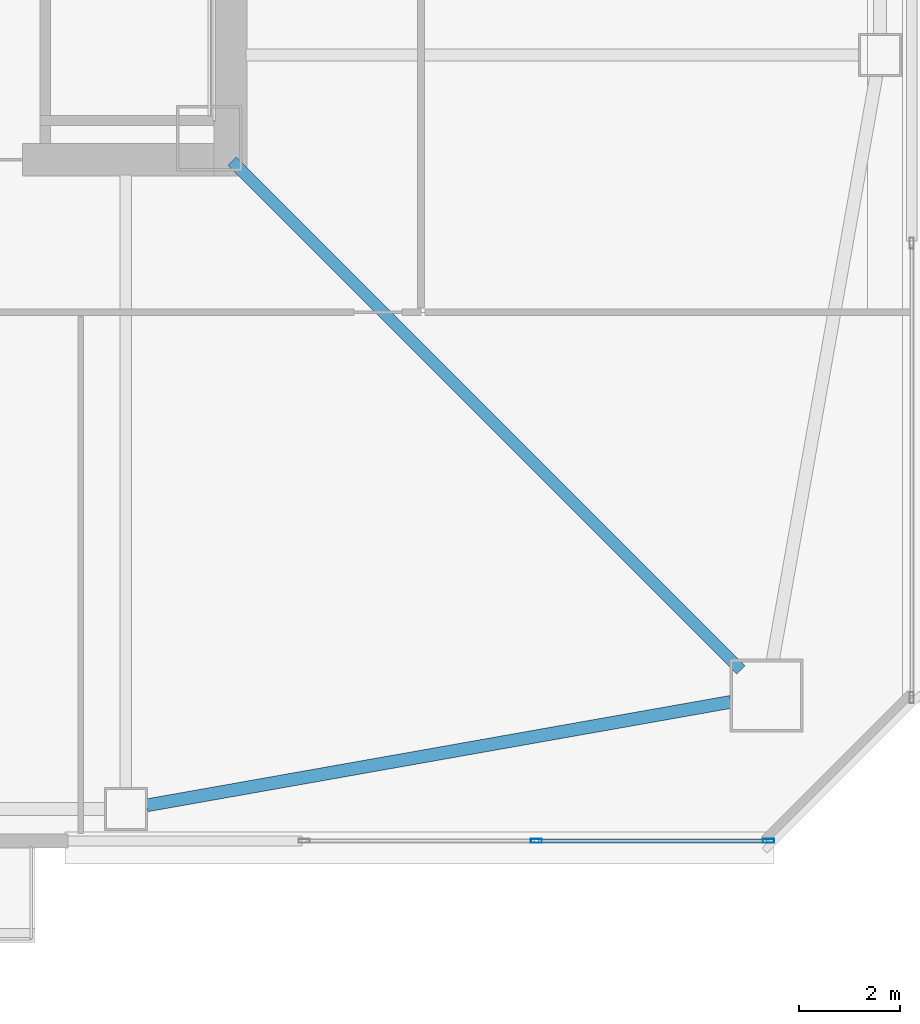
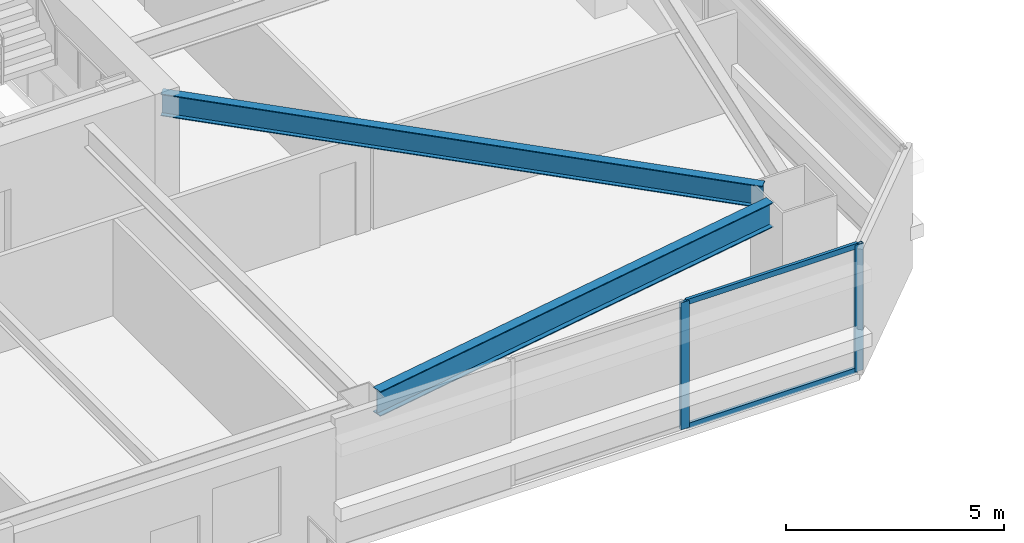
# One storey, part 8 of 44: 4 members, 2 beams, 1 element without a shape of its own.
"""IFC4 building model written with IfcOpenShell, lengths in metres."""

from ifc_helpers import new_model, si_unit, direction, frame, origin, origin_2d, place, context, subcontext, project, spatial, hollow_rectangle, i_section, extrude, material, material_profile, profile_set, type_object, element, aggregate, save


model = new_model("IFC4")

# Units and contexts
model_context = context("Model", 3, precision=1e-05, world=origin(), true_north=direction((0.0, 1.0)))
body_context = subcontext(model_context, "Body", "Model", "MODEL_VIEW")
ifc_project = project(units=[si_unit("LENGTHUNIT", "METRE"), si_unit("AREAUNIT", "SQUARE_METRE"), si_unit("VOLUMEUNIT", "CUBIC_METRE"), si_unit("PLANEANGLEUNIT", "RADIAN"), si_unit("MASSUNIT", "GRAM", prefix="KILO")], contexts=[model_context])

# Site, building, storey
site_placement = place(None, origin())
site = spatial("IfcSite", under=ifc_project, at=site_placement, CompositionType="ELEMENT")
building_placement = place(site_placement, origin())
building = spatial("IfcBuilding", under=site, at=building_placement, Name="Tashvorn Skyway Center", CompositionType="ELEMENT")
storey_placement = place(building_placement, frame((0.0, 0.0, 95.60009765625)))
storey = spatial("IfcBuildingStorey", under=building, at=storey_placement, Name="L25", CompositionType="ELEMENT", Elevation=95.60009765625)

# Beams
ifc_material_1 = material(Name="Steel ASTM A992 Grade 50", Category="steel")
ifc_material_profile_1 = material_profile(ifc_material_1, i_section(OverallWidth=0.22998046875, OverallDepth=0.616943359375, WebThickness=0.01318359375, FlangeThickness=0.022216796875, at=origin_2d()), Name="W24X94")
ifc_profile_set_1 = profile_set([ifc_material_profile_1], Name="Steel ASTM A992 Grade 50")
beam_type_1 = type_object("IfcBeamType", Name="BM-BEAM-W24X94", PredefinedType="BEAM", material=ifc_profile_set_1)
beam_1_placement = place(storey_placement, frame((59.5908203125, 14.4091796875, 3.04150390625), z_axis=(-0.707106781187, 0.707106781187, 0.0), x_axis=(-0.707106781187, -0.707106781187, 0.0)))
element("IfcBeam", 1, at=beam_1_placement, inside=storey, type_object=beam_type_1, Name="Tower 1 L25 Primary Floor Girder MC-SE", PredefinedType="BEAM", context=body_context, shape_type="SweptSolid", body=[
    extrude(i_section(OverallWidth=0.22998046875, OverallDepth=0.616943359375, WebThickness=0.01318359375, FlangeThickness=0.022216796875, at=origin_2d()), origin(), (0.0, 0.0, 1.0), 14.261962890625),
])
ifc_material_profile_2 = material_profile(ifc_material_1, i_section(OverallWidth=0.256103515625, OverallDepth=0.693115234375, WebThickness=0.014404296875, FlangeThickness=0.023681640625, at=origin_2d()), Name="W27X114")
ifc_profile_set_2 = profile_set([ifc_material_profile_2], Name="Steel ASTM A992 Grade 50")
beam_type_2 = type_object("IfcBeamType", Name="BM-SPANDREL-W27X114", PredefinedType="SPANDREL", material=ifc_profile_set_2)
beam_2_placement = place(storey_placement, frame((47.8134765625, 11.723388671875, 3.00341796875), z_axis=(0.98466816531, 0.174437966698, 0.0), x_axis=(-0.174437966698, 0.98466816531, 0.0)))
element("IfcBeam", 2, at=beam_2_placement, inside=storey, type_object=beam_type_2, Name="Tower 1 L25 Spandrel Beam 03", PredefinedType="SPANDREL", context=body_context, shape_type="SweptSolid", body=[
    extrude(i_section(OverallWidth=0.256103515625, OverallDepth=0.693115234375, WebThickness=0.014404296875, FlangeThickness=0.023681640625, at=origin_2d()), origin(), (0.0, 0.0, 1.0), 11.7578125),
])

# Curtain wall, members
ifc_material_2 = material(Name="Thermally broken bronze-anodized aluminium 6063-T6", Category="aluminium")
curtain_wall_type = type_object("IfcCurtainWallType", Name="CW-CW-Z2", PredefinedType="NOTDEFINED", material=ifc_material_2)
curtain_wall_placement = place(storey_placement, origin())
curtain_wall = element("IfcCurtainWall", 3, at=curtain_wall_placement, inside=storey, type_object=curtain_wall_type, Name="Tower 1 L25 South Curtain Wall L Glazing Group 1", PredefinedType="NOTDEFINED")
ifc_material_profile_3 = material_profile(ifc_material_2, hollow_rectangle(XDim=0.080078125, YDim=0.219970703125, WallThickness=0.0048828125, at=origin_2d()), Name="ALU-MULL-80x220")
ifc_profile_set_3 = profile_set([ifc_material_profile_3], Name="Thermally broken bronze-anodized aluminium 6063-T6")
member_type_1 = type_object("IfcMemberType", Name="CWM-CW-Z2", PredefinedType="MULLION", material=ifc_profile_set_3)
member_1_placement = place(storey_placement, frame((60.139892578125, 11.02001953125, 0.0), z_axis=(0.0, 0.0, 1.0), x_axis=(0.0, -1.0, 0.0)))
member_1 = element("IfcMember", 4, at=member_1_placement, type_object=member_type_1, Name="CW-Z2 mullion 1", PredefinedType="MULLION", context=body_context, shape_type="SweptSolid", body=[
    extrude(hollow_rectangle(XDim=0.080078125, YDim=0.219970703125, WallThickness=0.0048828125, at=origin_2d()), origin(), (0.0, 0.0, 1.0), 3.5498046875),
])
member_2_placement = place(storey_placement, frame((55.53662109375, 11.02001953125, 0.0), z_axis=(0.0, 0.0, 1.0), x_axis=(0.0, -1.0, 0.0)))
member_2 = element("IfcMember", 5, at=member_2_placement, type_object=member_type_1, Name="CW-Z2 mullion 2", PredefinedType="MULLION", context=body_context, shape_type="SweptSolid", body=[
    extrude(hollow_rectangle(XDim=0.080078125, YDim=0.219970703125, WallThickness=0.0048828125, at=origin_2d()), origin(), (0.0, 0.0, 1.0), 3.5498046875),
])
ifc_material_profile_4 = material_profile(ifc_material_2, hollow_rectangle(XDim=0.080078125, YDim=0.14990234375, WallThickness=0.00439453125, at=origin_2d()), Name="ALU-TRAN-80x150")
ifc_profile_set_4 = profile_set([ifc_material_profile_4], Name="Thermally broken bronze-anodized aluminium 6063-T6")
member_type_2 = type_object("IfcMemberType", Name="CWT-CW-Z2", PredefinedType="USERDEFINED", material=ifc_profile_set_4)
member_3_placement = place(storey_placement, frame((60.10009765625, 11.02001953125, 0.039794921875), z_axis=(-1.0, 0.0, 0.0), x_axis=(0.0, -1.0, 0.0)))
member_3 = element("IfcMember", 6, at=member_3_placement, type_object=member_type_2, Name="CW-Z2 transom 1.1", ObjectType="TRANSOM", PredefinedType="USERDEFINED", context=body_context, shape_type="SweptSolid", body=[
    extrude(hollow_rectangle(XDim=0.080078125, YDim=0.14990234375, WallThickness=0.00439453125, at=origin_2d()), origin(), (0.0, 0.0, 1.0), 4.5234375),
])
member_4_placement = place(storey_placement, frame((60.10009765625, 11.02001953125, 3.510009765625), z_axis=(-1.0, 0.0, 0.0), x_axis=(0.0, -1.0, 0.0)))
member_4 = element("IfcMember", 7, at=member_4_placement, type_object=member_type_2, Name="CW-Z2 transom 1.2", ObjectType="TRANSOM", PredefinedType="USERDEFINED", context=body_context, shape_type="SweptSolid", body=[
    extrude(hollow_rectangle(XDim=0.080078125, YDim=0.14990234375, WallThickness=0.00439453125, at=origin_2d()), origin(), (0.0, 0.0, 1.0), 4.5234375),
])
aggregate(curtain_wall, [member_1, member_2, member_3, member_4])

save(model, "model.ifc")
